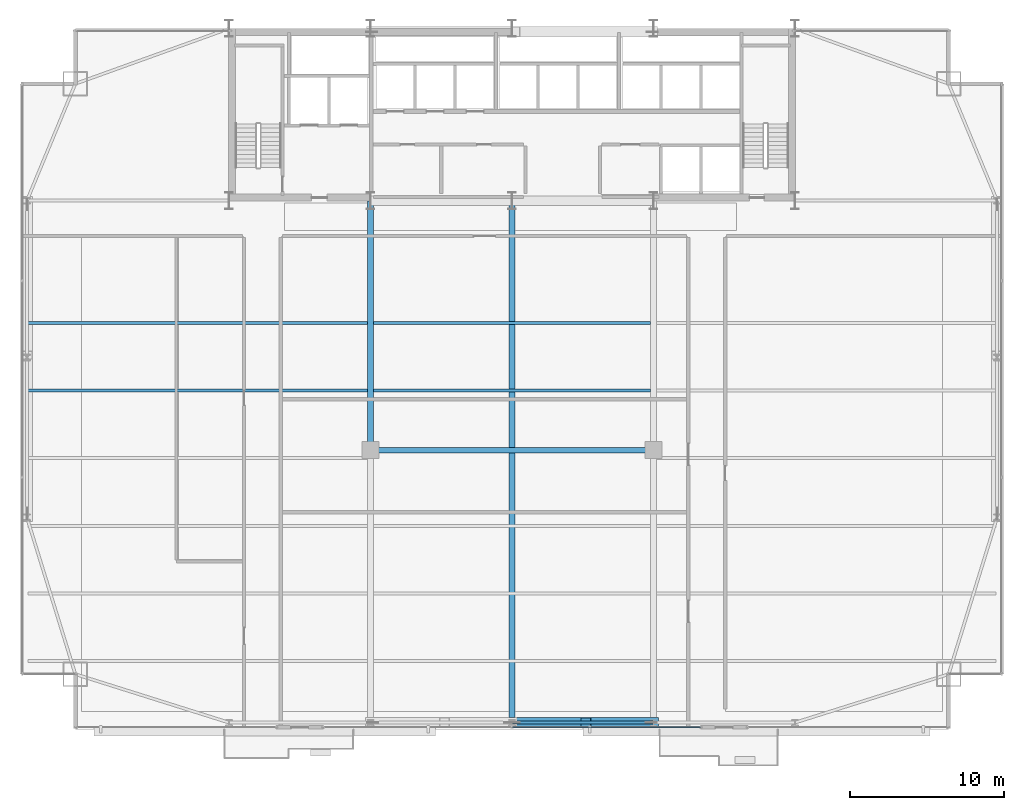
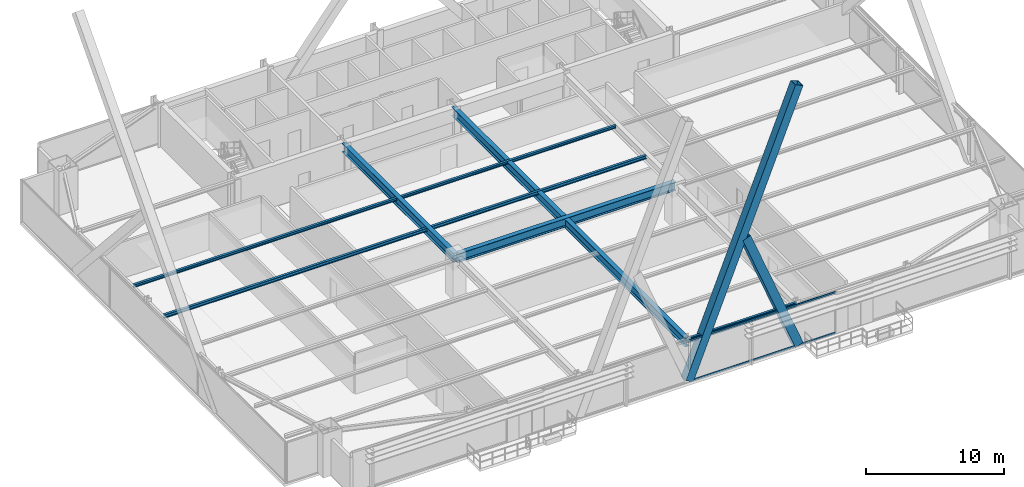
# One storey, part 12 of 32: 8 beams, 4 members, 1 element without a shape of its own.
"""IFC4 building model written with IfcOpenShell, lengths in metres."""

from ifc_helpers import new_model, si_unit, direction, frame, origin, origin_2d, place, context, subcontext, project, spatial, hollow_rectangle, i_section, extrude, source, transform, mapped, material, layer, layer_set, material_profile, profile_set, type_object, type_shapes, element, aggregate, save


model = new_model("IFC4")

# Units and contexts
model_context = context("Model", 3, precision=1e-05, world=origin(), true_north=direction((0.0, 1.0)))
body_context = subcontext(model_context, "Body", "Model", "MODEL_VIEW")
ifc_project = project(units=[si_unit("LENGTHUNIT", "METRE"), si_unit("AREAUNIT", "SQUARE_METRE"), si_unit("VOLUMEUNIT", "CUBIC_METRE"), si_unit("PLANEANGLEUNIT", "RADIAN"), si_unit("MASSUNIT", "GRAM", prefix="KILO")], contexts=[model_context])

# Site, building, storey
site_placement = place(None, origin())
site = spatial("IfcSite", under=ifc_project, at=site_placement, CompositionType="ELEMENT")
building_placement = place(site_placement, origin())
building = spatial("IfcBuilding", under=site, at=building_placement, Name="Varnel Quay Broadcast Tower", CompositionType="ELEMENT")
storey_placement = place(building_placement, frame((0.0, 0.0, 58.800048828125)))
storey = spatial("IfcBuildingStorey", under=building, at=storey_placement, Name="L13", CompositionType="ELEMENT", Elevation=58.800048828125)

# Beams
ifc_material_1 = material(Name="Structural Steel CSA G40.21 350W", Category="steel")
ifc_material_profile_1 = material_profile(ifc_material_1, i_section(OverallWidth=0.180908203125, OverallDepth=0.4169921875, WebThickness=0.010986328125, FlangeThickness=0.018310546875, FilletRadius=0.011962890625, at=origin_2d()), Name="W410X85")
ifc_profile_set_1 = profile_set([ifc_material_profile_1], Name="Structural Steel CSA G40.21 350W")
beam_type_1 = type_object("IfcBeamType", Name="Beam_W410X85", PredefinedType="SPANDREL", material=ifc_profile_set_1)
shared_shape_1 = source(origin(), body_context, "Body", "SweptSolid", [
    extrude(i_section(OverallWidth=0.180908203125, OverallDepth=0.4169921875, WebThickness=0.010986328125, FlangeThickness=0.018310546875, FilletRadius=0.011962890625, at=origin_2d()), origin(), (0.0, 0.0, 1.0), 9.159912109375),
])
type_shapes(beam_type_1, [shared_shape_1])
beam_1_placement = place(storey_placement, frame((34.02001953125, 1.64990234375, 3.44140625), z_axis=(1.0, 0.0, 0.0), x_axis=(0.0, 1.0, 0.0)))
element("IfcBeam", 1, at=beam_1_placement, inside=storey, type_object=beam_type_1, Name="L13 South Spandrel TC-S3-TC-S4", PredefinedType="SPANDREL", context=body_context, shape_type="MappedRepresentation", body=[
    mapped(shared_shape_1, transform((0.0, 0.0, 0.0), x_axis=(1.0, 0.0, 0.0), y_axis=(0.0, 1.0, 0.0), z_axis=(0.0, 0.0, 1.0), scale=1.0)),
])
ifc_material_profile_2 = material_profile(ifc_material_1, i_section(OverallWidth=0.381103515625, OverallDepth=0.77294921875, WebThickness=0.0166015625, FlangeThickness=0.027587890625, FilletRadius=0.01806640625, at=origin_2d()), Name="W760X257")
ifc_profile_set_2 = profile_set([ifc_material_profile_2], Name="Structural Steel CSA G40.21 350W")
beam_type_2 = type_object("IfcBeamType", Name="Girder_W760X257", PredefinedType="BEAM", material=ifc_profile_set_2)
shared_shape_2 = source(origin(), body_context, "Body", "SweptSolid", [
    extrude(i_section(OverallWidth=0.381103515625, OverallDepth=0.77294921875, WebThickness=0.0166015625, FlangeThickness=0.027587890625, FilletRadius=0.01806640625, at=origin_2d()), origin(), (0.0, 0.0, 1.0), 16.190185546875),
])
beam_2_placement = place(storey_placement, frame((24.800048828125, 19.389892578125, 3.263427734375), z_axis=(0.0, 1.0, 0.0), x_axis=(-1.0, 0.0, 0.0)))
element("IfcBeam", 2, at=beam_2_placement, inside=storey, type_object=beam_type_2, Name="L13 Primary Girder IC-01-CC-S2", PredefinedType="BEAM", context=body_context, shape_type="MappedRepresentation", body=[
    mapped(shared_shape_2, transform((0.0, 0.0, 0.0), x_axis=(1.0, 0.0, 0.0), y_axis=(0.0, 1.0, 0.0), z_axis=(0.0, 0.0, 1.0), scale=1.0)),
])
shared_shape_3 = source(origin(), body_context, "Body", "SweptSolid", [
    extrude(i_section(OverallWidth=0.381103515625, OverallDepth=0.77294921875, WebThickness=0.0166015625, FlangeThickness=0.027587890625, FilletRadius=0.01806640625, at=origin_2d()), origin(), (0.0, 0.0, 1.0), 18.35986328125),
])
beam_3_placement = place(storey_placement, frame((24.820068359375, 19.3701171875, 3.263427734375), z_axis=(1.0, 0.0, 0.0), x_axis=(0.0, 1.0, 0.0)))
element("IfcBeam", 3, at=beam_3_placement, inside=storey, type_object=beam_type_2, Name="L13 Interior Spine Girder", PredefinedType="BEAM", context=body_context, shape_type="MappedRepresentation", body=[
    mapped(shared_shape_3, transform((0.0, 0.0, 0.0), x_axis=(1.0, 0.0, 0.0), y_axis=(0.0, 1.0, 0.0), z_axis=(0.0, 0.0, 1.0), scale=1.0)),
])
shared_shape_4 = source(origin(), body_context, "Body", "SweptSolid", [
    extrude(i_section(OverallWidth=0.381103515625, OverallDepth=0.77294921875, WebThickness=0.0166015625, FlangeThickness=0.027587890625, FilletRadius=0.01806640625, at=origin_2d()), origin(), (0.0, 0.0, 1.0), 33.91015625),
])
type_shapes(beam_type_2, [shared_shape_2, shared_shape_3, shared_shape_4])
beam_4_placement = place(storey_placement, frame((34.0, 1.669921875, 3.263427734375), z_axis=(0.0, 1.0, 0.0), x_axis=(-1.0, 0.0, 0.0)))
element("IfcBeam", 4, at=beam_4_placement, inside=storey, type_object=beam_type_2, Name="L13 Central Bay Girder", PredefinedType="BEAM", context=body_context, shape_type="MappedRepresentation", body=[
    mapped(shared_shape_4, transform((0.0, 0.0, 0.0), x_axis=(1.0, 0.0, 0.0), y_axis=(0.0, 1.0, 0.0), z_axis=(0.0, 0.0, 1.0), scale=1.0)),
])
ifc_material_profile_3 = material_profile(ifc_material_1, i_section(OverallWidth=0.202880859375, OverallDepth=0.302978515625, WebThickness=0.007568359375, FlangeThickness=0.01318359375, FilletRadius=0.011962890625, at=origin_2d()), Name="W310X60")
ifc_profile_set_3 = profile_set([ifc_material_profile_3], Name="Structural Steel CSA G40.21 350W")
beam_type_3 = type_object("IfcBeamType", Name="Beam_W310X60", PredefinedType="JOIST", material=ifc_profile_set_3)
shared_shape_5 = source(origin(), body_context, "Body", "SweptSolid", [
    extrude(i_section(OverallWidth=0.202880859375, OverallDepth=0.302978515625, WebThickness=0.007568359375, FlangeThickness=0.01318359375, FilletRadius=0.011962890625, at=origin_2d()), origin(), (0.0, 0.0, 1.0), 22.0791015625),
])
beam_5_placement = place(storey_placement, frame((2.535400390625, 23.25, 3.49853515625), z_axis=(1.0, 0.0, 0.0), x_axis=(0.0, 1.0, 0.0)))
element("IfcBeam", 5, at=beam_5_placement, inside=storey, type_object=beam_type_3, Name="L13 West Floor Joist 5", PredefinedType="JOIST", context=body_context, shape_type="MappedRepresentation", body=[
    mapped(shared_shape_5, transform((0.0, 0.0, 0.0), x_axis=(1.0, 0.0, 0.0), y_axis=(0.0, 1.0, 0.0), z_axis=(0.0, 0.0, 1.0), scale=1.0)),
])
shared_shape_6 = source(origin(), body_context, "Body", "SweptSolid", [
    extrude(i_section(OverallWidth=0.202880859375, OverallDepth=0.302978515625, WebThickness=0.007568359375, FlangeThickness=0.01318359375, FilletRadius=0.011962890625, at=origin_2d()), origin(), (0.0, 0.0, 1.0), 18.02880859375),
])
type_shapes(beam_type_3, [shared_shape_5, shared_shape_6])
beam_6_placement = place(storey_placement, frame((24.985595703125, 23.25, 3.49853515625), z_axis=(1.0, 0.0, 0.0), x_axis=(0.0, 1.0, 0.0)))
element("IfcBeam", 6, at=beam_6_placement, inside=storey, type_object=beam_type_3, Name="L13 Central Floor Joist 5", PredefinedType="JOIST", context=body_context, shape_type="MappedRepresentation", body=[
    mapped(shared_shape_6, transform((0.0, 0.0, 0.0), x_axis=(1.0, 0.0, 0.0), y_axis=(0.0, 1.0, 0.0), z_axis=(0.0, 0.0, 1.0), scale=1.0)),
])
ifc_material_profile_4 = material_profile(ifc_material_1, i_section(OverallWidth=0.201904296875, OverallDepth=0.2470703125, WebThickness=0.00732421875, FlangeThickness=0.010986328125, FilletRadius=0.010986328125, at=origin_2d()), Name="W250X49")
ifc_profile_set_4 = profile_set([ifc_material_profile_4], Name="Structural Steel CSA G40.21 350W")
beam_type_4 = type_object("IfcBeamType", Name="Beam_W250X49", PredefinedType="JOIST", material=ifc_profile_set_4)
shared_shape_7 = source(origin(), body_context, "Body", "SweptSolid", [
    extrude(i_section(OverallWidth=0.201904296875, OverallDepth=0.2470703125, WebThickness=0.00732421875, FlangeThickness=0.010986328125, FilletRadius=0.010986328125, at=origin_2d()), origin(), (0.0, 0.0, 1.0), 22.0791015625),
])
beam_7_placement = place(storey_placement, frame((2.535400390625, 27.64990234375, 3.5263671875), z_axis=(1.0, 0.0, 0.0), x_axis=(0.0, 1.0, 0.0)))
element("IfcBeam", 7, at=beam_7_placement, inside=storey, type_object=beam_type_4, Name="L13 West Floor Joist 6", PredefinedType="JOIST", context=body_context, shape_type="MappedRepresentation", body=[
    mapped(shared_shape_7, transform((0.0, 0.0, 0.0), x_axis=(1.0, 0.0, 0.0), y_axis=(0.0, 1.0, 0.0), z_axis=(0.0, 0.0, 1.0), scale=1.0)),
])
shared_shape_8 = source(origin(), body_context, "Body", "SweptSolid", [
    extrude(i_section(OverallWidth=0.201904296875, OverallDepth=0.2470703125, WebThickness=0.00732421875, FlangeThickness=0.010986328125, FilletRadius=0.010986328125, at=origin_2d()), origin(), (0.0, 0.0, 1.0), 18.02880859375),
])
type_shapes(beam_type_4, [shared_shape_7, shared_shape_8])
beam_8_placement = place(storey_placement, frame((24.985595703125, 27.64990234375, 3.5263671875), z_axis=(1.0, 0.0, 0.0), x_axis=(0.0, 1.0, 0.0)))
element("IfcBeam", 8, at=beam_8_placement, inside=storey, type_object=beam_type_4, Name="L13 Central Floor Joist 6", PredefinedType="JOIST", context=body_context, shape_type="MappedRepresentation", body=[
    mapped(shared_shape_8, transform((0.0, 0.0, 0.0), x_axis=(1.0, 0.0, 0.0), y_axis=(0.0, 1.0, 0.0), z_axis=(0.0, 0.0, 1.0), scale=1.0)),
])

# Members
ifc_material_2 = material(Name="Structural Steel CSA G40.21 350WT", Category="steel")
ifc_material_profile_5 = material_profile(ifc_material_2, hollow_rectangle(XDim=0.699951171875, YDim=0.699951171875, WallThickness=0.031982421875, at=origin_2d()), Name="BOX700X700X32")
ifc_profile_set_5 = profile_set([ifc_material_profile_5], Name="Structural Steel CSA G40.21 350WT")
member_type_1 = type_object("IfcMemberType", Name="Brace_BOX700X700X32", PredefinedType="BRACE", material=ifc_profile_set_5)
shared_shape_9 = source(origin(), body_context, "Body", "SweptSolid", [
    extrude(hollow_rectangle(XDim=0.699951171875, YDim=0.699951171875, WallThickness=0.031982421875, at=origin_2d()), origin(), (0.0, 0.0, 1.0), 24.808837890625),
])
member_1_placement = place(storey_placement, frame((34.0, 1.64990234375, 0.02001953125), z_axis=(0.370832396034, 0.0, 0.928699808362), x_axis=(0.0, 1.0, 0.0)))
element("IfcMember", 9, at=member_1_placement, inside=storey, type_object=member_type_1, Name="Zone 1 Mega-Brace S-C2T3 Continuous Diag A", PredefinedType="BRACE", context=body_context, shape_type="MappedRepresentation", body=[
    mapped(shared_shape_9, transform((0.0, 0.0, 0.0), x_axis=(1.0, 0.0, 0.0), y_axis=(0.0, 1.0, 0.0), z_axis=(0.0, 0.0, 1.0), scale=1.0)),
])
shared_shape_10 = source(origin(), body_context, "Body", "SweptSolid", [
    extrude(hollow_rectangle(XDim=0.699951171875, YDim=0.699951171875, WallThickness=0.031982421875, at=origin_2d()), origin(), (0.0, 0.0, 1.0), 11.871337890625),
])
type_shapes(member_type_1, [shared_shape_9, shared_shape_10])
member_2_placement = place(storey_placement, frame((43.199951171875, 1.64990234375, 0.02001953125), z_axis=(-0.370837468856, 0.0, 0.928697782754), x_axis=(0.0, -1.0, 0.0)))
element("IfcMember", 10, at=member_2_placement, inside=storey, type_object=member_type_1, Name="Zone 1 Mega-Brace S-C2T3 Split Diag B1", PredefinedType="BRACE", context=body_context, shape_type="MappedRepresentation", body=[
    mapped(shared_shape_10, transform((0.0, 0.0, 0.0), x_axis=(1.0, 0.0, 0.0), y_axis=(0.0, 1.0, 0.0), z_axis=(0.0, 0.0, 1.0), scale=1.0)),
])

# Curtain wall, members
ifc_material_3 = material(Name="Anodised Bronze Aluminium 6063-T6", Category="aluminium")
ifc_layer = layer(ifc_material_3, 0.18994140625, Name="Anodised Bronze Aluminium 6063-T6")
ifc_layer_set = layer_set([ifc_layer], Name="Anodised Bronze Aluminium 6063-T6")
curtain_wall_type = type_object("IfcCurtainWallType", Name="CW_LowerTower", PredefinedType="NOTDEFINED", material=ifc_layer_set)
curtain_wall_placement = place(storey_placement, origin())
curtain_wall = element("IfcCurtainWall", 11, at=curtain_wall_placement, inside=storey, type_object=curtain_wall_type, Name="L13 South Unitised Curtain Wall 2", PredefinedType="NOTDEFINED")
ifc_material_profile_6 = material_profile(ifc_material_3, hollow_rectangle(XDim=0.06005859375, YDim=0.14501953125, WallThickness=0.00341796875, at=origin_2d()), Name="ALU60X145X3.5")
ifc_profile_set_6 = profile_set([ifc_material_profile_6], Name="Anodised Bronze Aluminium 6063-T6")
member_type_2 = type_object("IfcMemberType", Name="Tran_CWS-02", PredefinedType="USERDEFINED", material=ifc_profile_set_6)
shared_shape_11 = source(origin(), body_context, "Body", "SweptSolid", [
    extrude(hollow_rectangle(XDim=0.06005859375, YDim=0.14501953125, WallThickness=0.00341796875, at=origin_2d()), origin(), (0.0, 0.0, 1.0), 12.215087890625),
])
type_shapes(member_type_2, [shared_shape_11])
member_3_placement = place(storey_placement, frame((34.034912109375, 1.35009765625, 0.030029296875), z_axis=(1.0, 0.0, 0.0), x_axis=(0.0, 1.0, 0.0)))
member_3 = element("IfcMember", 12, at=member_3_placement, type_object=member_type_2, Name="CWS-02 transom 2.1", ObjectType="TRANSOM", PredefinedType="USERDEFINED", context=body_context, shape_type="MappedRepresentation", body=[
    mapped(shared_shape_11, transform((0.0, 0.0, 0.0), x_axis=(1.0, 0.0, 0.0), y_axis=(0.0, 1.0, 0.0), z_axis=(0.0, 0.0, 1.0), scale=1.0)),
])
member_4_placement = place(storey_placement, frame((34.034912109375, 1.35009765625, 3.619873046875), z_axis=(1.0, 0.0, 0.0), x_axis=(0.0, 1.0, 0.0)))
member_4 = element("IfcMember", 13, at=member_4_placement, type_object=member_type_2, Name="CWS-02 transom 2.2", ObjectType="TRANSOM", PredefinedType="USERDEFINED", context=body_context, shape_type="MappedRepresentation", body=[
    mapped(shared_shape_11, transform((0.0, 0.0, 0.0), x_axis=(1.0, 0.0, 0.0), y_axis=(0.0, 1.0, 0.0), z_axis=(0.0, 0.0, 1.0), scale=1.0)),
])
aggregate(curtain_wall, [member_3, member_4])

save(model, "model.ifc")
